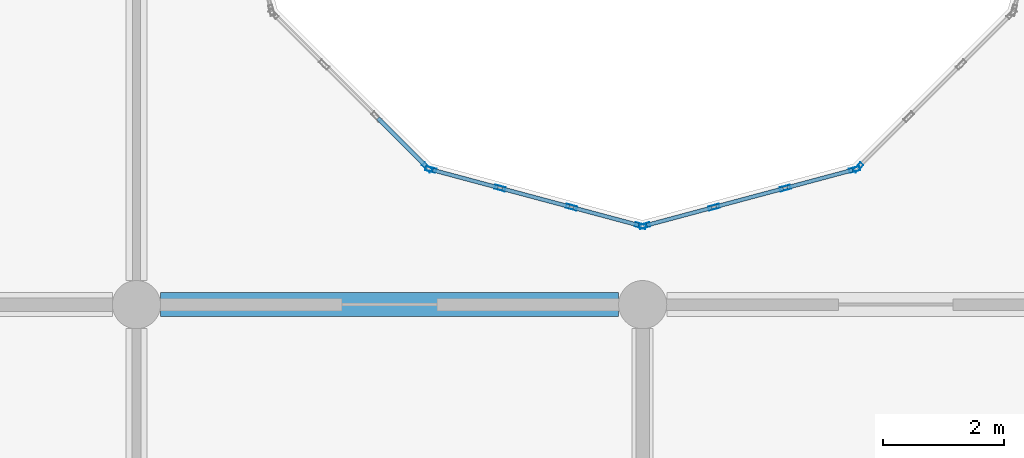
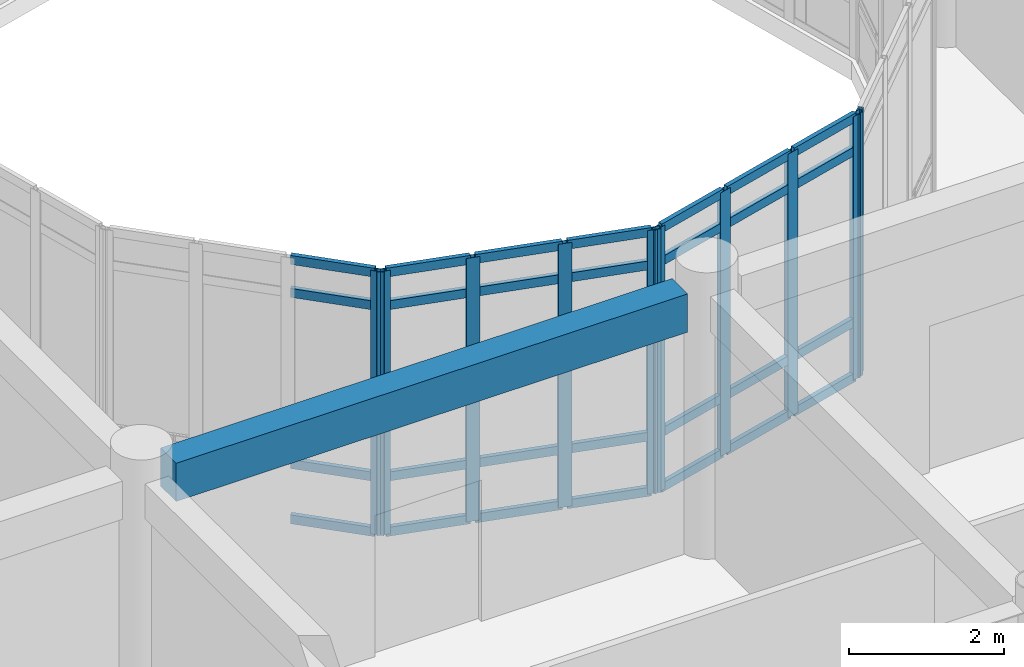
# One storey, part 45 of 144: 38 members, 1 beam, 4 elements without a shape of their own.
"""IFC4 building model written with IfcOpenShell, lengths in metres."""

import ifcopenshell
import ifcopenshell.guid

model = None  # the IFC model being written
_history = None  # IfcOwnerHistory: only IFC2X3 demands one
_inside = {}  # id of a spatial element -> (the spatial element, [elements in it])
_under = {}  # id of a project, library or spatial element -> (it, [spatial elements below it])
_declared = {}  # id of a project -> (the project, [libraries it declares])
_typed = {}  # id of a type object -> (the type object, [elements of that type])
_made_of = {}  # id of a material, layer set ... -> (it, [elements and type objects made of it])


def new_model(schema):
    """Start an empty IFC model of exactly this schema.

    Asked for "IFC4X3", IfcOpenShell would pick the latest addendum, in which some entities
    have other attributes; the version numbers below select the first issue.
    IFC2X3 requires an IfcOwnerHistory on every rooted entity: one is made here for all.
    """
    global model, _history
    if schema == "IFC4X3":
        model = ifcopenshell.file(schema_version=(4, 3, 0, 0))
    else:
        model = ifcopenshell.file(schema=schema)
    _inside.clear()
    _under.clear()
    _declared.clear()
    _typed.clear()
    _made_of.clear()
    _history = None
    if model.schema == "IFC2X3":
        org = make("IfcOrganization", Name="unknown")
        user = make(
            "IfcPersonAndOrganization",
            ThePerson=make("IfcPerson", FamilyName="unknown"),
            TheOrganization=org,
        )
        app = make(
            "IfcApplication",
            ApplicationDeveloper=org,
            Version="unknown",
            ApplicationFullName="unknown",
            ApplicationIdentifier="unknown",
        )
        _history = make(
            "IfcOwnerHistory",
            OwningUser=user,
            OwningApplication=app,
            ChangeAction="ADDED",
            CreationDate=0,
        )
    return model


def make(cls, **values):
    """One entity of the class cls with the attributes given. An attribute that is None is left unset."""
    return model.create_entity(
        cls, **{name: value for name, value in values.items() if value is not None}
    )


def rooted(cls, **values):
    """An entity with a GlobalId (a new one), such as an element, a storey or a relation."""
    return make(cls, GlobalId=ifcopenshell.guid.new(), OwnerHistory=_history, **values)


def si_unit(unit_type, name, prefix=None):
    """IfcSIUnit, for example si_unit("LENGTHUNIT", "METRE", prefix="MILLI")."""
    return make("IfcSIUnit", UnitType=unit_type, Prefix=prefix, Name=name)


def assignment(units):
    """IfcUnitAssignment: the units of a project."""
    return None if units is None else make("IfcUnitAssignment", Units=units)


def point(xyz):
    """IfcCartesianPoint."""
    return None if xyz is None else make("IfcCartesianPoint", Coordinates=xyz)


def direction(xyz):
    """IfcDirection."""
    return None if xyz is None else make("IfcDirection", DirectionRatios=xyz)


def frame(location, z_axis=None, x_axis=None):
    """IfcAxis2Placement3D, a coordinate frame: its origin and axes. An axis left out is left unset."""
    return make(
        "IfcAxis2Placement3D",
        Location=point(location),
        Axis=direction(z_axis),
        RefDirection=direction(x_axis),
    )


def frame_2d(location, x_axis=None):
    """IfcAxis2Placement2D, a coordinate frame in the plane: its origin and x axis."""
    return make(
        "IfcAxis2Placement2D", Location=point(location), RefDirection=direction(x_axis)
    )


def origin():
    """The frame at (0, 0, 0) with its axes left unset."""
    return frame((0.0, 0.0, 0.0))


def origin_2d():
    """The frame at (0, 0) in the plane with its x axis left unset."""
    return frame_2d((0.0, 0.0))


def place(relative_to, where):
    """IfcLocalPlacement: puts the frame where relative to a parent placement (None: the world)."""
    return make(
        "IfcLocalPlacement", PlacementRelTo=relative_to, RelativePlacement=where
    )


def context(
    kind, dimensions, precision=None, world=None, true_north=None, identifier=None
):
    """IfcGeometricRepresentationContext, for example the 3D "Model" context."""
    return make(
        "IfcGeometricRepresentationContext",
        ContextIdentifier=identifier,
        ContextType=kind,
        CoordinateSpaceDimension=dimensions,
        Precision=precision,
        WorldCoordinateSystem=world,
        TrueNorth=true_north,
    )


def subcontext(parent, identifier, kind, view, scale=None):
    """IfcGeometricRepresentationSubContext, for example "Body" below "Model"."""
    return make(
        "IfcGeometricRepresentationSubContext",
        ContextIdentifier=identifier,
        ContextType=kind,
        ParentContext=parent,
        TargetScale=scale,
        TargetView=view,
    )


def project(units=None, contexts=None):
    """IfcProject with its units and contexts."""
    return rooted(
        "IfcProject",
        Name="project",
        RepresentationContexts=contexts,
        UnitsInContext=assignment(units),
    )


def spatial(cls, under=None, at=None, **own):
    """A site, building, storey or space (cls), placed at a placement, below another one or the project."""
    s = rooted(cls, ObjectPlacement=at, **own)
    if under is not None:
        _under.setdefault(under.id(), (under, []))[1].append(s)
    return s


def profile(cls, at=None, kind="AREA", **sizes):
    """A parametric profile (cls). Its sizes go by their IFC names, for example OverallWidth=200.0."""
    return make(cls, ProfileType=kind, Position=at, **sizes)


def rectangle(**sizes):
    """IfcRectangleProfileDef."""
    return profile("IfcRectangleProfileDef", **sizes)


def hollow_rectangle(**sizes):
    """IfcRectangleHollowProfileDef."""
    return profile("IfcRectangleHollowProfileDef", **sizes)


def extrude(swept, where, along, depth):
    """IfcExtrudedAreaSolid: the profile swept, set in the frame where, extruded along a direction by depth."""
    return make(
        "IfcExtrudedAreaSolid",
        SweptArea=swept,
        Position=where,
        ExtrudedDirection=direction(along),
        Depth=depth,
    )


def shape(context_of_items, identifier, shape_type, items):
    """IfcShapeRepresentation: the items that make up one representation, for example the "Body"."""
    return make(
        "IfcShapeRepresentation",
        ContextOfItems=context_of_items,
        RepresentationIdentifier=identifier,
        RepresentationType=shape_type,
        Items=items,
    )


def material(Name=None, Category=None):
    """IfcMaterial."""
    return make("IfcMaterial", Name=Name, Category=Category)


def layer(
    of_material, thickness, ventilated=None, Name=None, Category=None, Priority=None
):
    """IfcMaterialLayer: one layer of a wall or slab, of a material (None: an air gap)."""
    return make(
        "IfcMaterialLayer",
        Material=of_material,
        LayerThickness=thickness,
        IsVentilated=ventilated,
        Name=Name,
        Category=Category,
        Priority=Priority,
    )


def layer_set(layers, Name=None):
    """IfcMaterialLayerSet."""
    return make("IfcMaterialLayerSet", MaterialLayers=layers, LayerSetName=Name)


def material_profile(
    of_material, cross_section, Name=None, Category=None, Priority=None
):
    """IfcMaterialProfile: a cross section and its material."""
    return make(
        "IfcMaterialProfile",
        Name=Name,
        Material=of_material,
        Profile=cross_section,
        Priority=Priority,
        Category=Category,
    )


def profile_set(profiles, Name=None, composite=None):
    """IfcMaterialProfileSet."""
    return make(
        "IfcMaterialProfileSet",
        Name=Name,
        MaterialProfiles=profiles,
        CompositeProfile=composite,
    )


def made_of(thing, what):
    """Note that an element or type object is made of a material, layer set ...; save() writes the relation."""
    if what is not None:
        _made_of.setdefault(what.id(), (what, []))[1].append(thing)
    return thing


def type_object(cls, material=None, **own):
    """A type object (cls), such as IfcWallType, which elements share."""
    return made_of(rooted(cls, **own), material)


def element(
    cls,
    number,
    at=None,
    inside=None,
    cuts=None,
    type_object=None,
    material=None,
    context=None,
    identifier="Body",
    shape_type=None,
    held_by="IfcProductDefinitionShape",
    body=None,
    shapes=None,
    **own,
):
    """One element of the class cls, such as IfcWall. Its Tag is "e" and its number.

    at: its placement. inside: the storey or other place that contains it. cuts: it is an
    opening in that element (IfcRelVoidsElement). A single representation is given by context,
    identifier, shape_type and body (its items); several are given by shapes. held_by: the class
    of the entity that holds the representations. save() writes the other relations.
    """
    e = rooted(cls, Tag="e%d" % number, ObjectPlacement=at, **own)
    if body is not None:
        shapes = [shape(context, identifier, shape_type, body)]
    if shapes is not None:
        e.Representation = make(held_by, Representations=shapes)
    if inside is not None:
        _inside.setdefault(inside.id(), (inside, []))[1].append(e)
    if cuts is not None:
        rooted(
            "IfcRelVoidsElement", RelatingBuildingElement=cuts, RelatedOpeningElement=e
        )
    if type_object is not None:
        _typed.setdefault(type_object.id(), (type_object, []))[1].append(e)
    return made_of(e, material)


def aggregate(whole, parts):
    """IfcRelAggregates: a whole, such as a stair, and the parts it consists of."""
    return rooted("IfcRelAggregates", RelatingObject=whole, RelatedObjects=parts)


def save(model, path):
    """Write the relations noted so far, then the file.

    IfcRelAggregates (storeys below a building ...), IfcRelContainedInSpatialStructure (elements
    in a storey), IfcRelDefinesByType, IfcRelAssociatesMaterial and IfcRelDeclares: one each for
    every whole, place, type object, material and project.
    """
    for whole, parts in _under.values():
        aggregate(whole, parts)
    for where, things in _inside.values():
        rooted(
            "IfcRelContainedInSpatialStructure",
            RelatedElements=things,
            RelatingStructure=where,
        )
    for kind, things in _typed.values():
        rooted("IfcRelDefinesByType", RelatedObjects=things, RelatingType=kind)
    for what, things in _made_of.values():
        rooted("IfcRelAssociatesMaterial", RelatedObjects=things, RelatingMaterial=what)
    for by, libraries in _declared.values():
        rooted("IfcRelDeclares", RelatingContext=by, RelatedDefinitions=libraries)
    model.write(path)


model = new_model("IFC4")

# Units and contexts
model_context = context("Model", 3, precision=1e-05, world=origin(), true_north=direction((0.0, 1.0)))
body_context = subcontext(model_context, "Body", "Model", "MODEL_VIEW")
ifc_project = project(units=[si_unit("LENGTHUNIT", "METRE"), si_unit("AREAUNIT", "SQUARE_METRE"), si_unit("VOLUMEUNIT", "CUBIC_METRE"), si_unit("PLANEANGLEUNIT", "RADIAN"), si_unit("MASSUNIT", "GRAM", prefix="KILO")], contexts=[model_context])

# Site, building, storey
site_placement = place(None, origin())
site = spatial("IfcSite", under=ifc_project, at=site_placement, CompositionType="ELEMENT")
building_placement = place(site_placement, origin())
building = spatial("IfcBuilding", under=site, at=building_placement, Name="Bramfleet General Hospital", CompositionType="ELEMENT")
storey_placement = place(building_placement, frame((0.0, 0.0, 4.800048828125)))
storey = spatial("IfcBuildingStorey", under=building, at=storey_placement, Name="L01", CompositionType="ELEMENT", Elevation=4.800048828125)

# Beam
ifc_material_1 = material(Name="Concrete C35/45", Category="concrete")
ifc_material_profile_1 = material_profile(ifc_material_1, rectangle(XDim=0.39990234375, YDim=0.60009765625, at=origin_2d()), Name="RC BM 600x400")
ifc_profile_set_1 = profile_set([ifc_material_profile_1], Name="Concrete C35/45")
beam_type = type_object("IfcBeamType", Name="BM-RC600", PredefinedType="BEAM", material=ifc_profile_set_1)
beam_placement = place(storey_placement, frame((76.0, 67.199951171875, 3.849853515625), z_axis=(1.0, 0.0, 0.0), x_axis=(0.0, 1.0, 0.0)))
element("IfcBeam", 1, at=beam_placement, inside=storey, type_object=beam_type, Name="L01 Grid Beam X 09-08", PredefinedType="BEAM", context=body_context, shape_type="SweptSolid", body=[
    extrude(rectangle(XDim=0.39990234375, YDim=0.60009765625, at=origin_2d()), origin(), (0.0, 0.0, 1.0), 7.60009765625),
])

# Curtain wall, member
ifc_material_2 = material(Name="Anodised aluminium and low-E triple glazing", Category="aluminium")
ifc_layer_1 = layer(ifc_material_2, 0.179931640625, Name="CWT-CW-14")
ifc_layer_set_1 = layer_set([ifc_layer_1], Name="Anodised aluminium and low-E triple glazing")
curtain_wall_type_1 = type_object("IfcCurtainWallType", Name="CWT-CW-14", PredefinedType="USERDEFINED", material=ifc_layer_set_1)
curtain_wall_1_placement = place(storey_placement, origin())
curtain_wall_1 = element("IfcCurtainWall", 2, at=curtain_wall_1_placement, inside=storey, type_object=curtain_wall_type_1, Name="L01 Central Diagnostic Light Court Curtain Wall 2.1", ObjectType="Stick curtain wall", PredefinedType="USERDEFINED")
ifc_material_3 = material(Name="Anodised aluminium EN AW-6060", Category="aluminium")
ifc_material_profile_2 = material_profile(ifc_material_3, hollow_rectangle(XDim=0.070068359375, YDim=0.179931640625, WallThickness=0.00390625, at=origin_2d()), Name="ALU 180x70x4.0")
ifc_profile_set_2 = profile_set([ifc_material_profile_2], Name="Anodised aluminium EN AW-6060")
member_type_1 = type_object("IfcMemberType", Name="CWM-ALU180", PredefinedType="MULLION", material=ifc_profile_set_2)
member_1_placement = place(storey_placement, frame((80.42529296875, 69.475830078125, 0.0), z_axis=(0.0, 0.0, 1.0), x_axis=(0.707106781187, 0.707106781187, 0.0)))
member_1 = element("IfcMember", 3, at=member_1_placement, type_object=member_type_1, Name="CW-14 mullion 4", PredefinedType="MULLION", context=body_context, shape_type="SweptSolid", body=[
    extrude(hollow_rectangle(XDim=0.070068359375, YDim=0.179931640625, WallThickness=0.00390625, at=origin_2d()), origin(), (0.0, 0.0, 1.0), 4.139892578125),
])

# Curtain wall, members
ifc_layer_2 = layer(ifc_material_2, 0.179931640625, Name="CWT-CW-15")
ifc_layer_set_2 = layer_set([ifc_layer_2], Name="Anodised aluminium and low-E triple glazing")
curtain_wall_type_2 = type_object("IfcCurtainWallType", Name="CWT-CW-15", PredefinedType="USERDEFINED", material=ifc_layer_set_2)
curtain_wall_2_placement = place(storey_placement, origin())
curtain_wall_2 = element("IfcCurtainWall", 4, at=curtain_wall_2_placement, inside=storey, type_object=curtain_wall_type_2, Name="L01 Central Diagnostic Light Court Curtain Wall 3.1", ObjectType="Stick curtain wall", PredefinedType="USERDEFINED")
member_2_placement = place(storey_placement, frame((80.48388671875, 69.44189453125, 0.0), z_axis=(0.0, 0.0, 1.0), x_axis=(0.258763286618, 0.965940765005, 0.0)))
member_2 = element("IfcMember", 5, at=member_2_placement, type_object=member_type_1, Name="CW-15 mullion 1", PredefinedType="MULLION", context=body_context, shape_type="SweptSolid", body=[
    extrude(hollow_rectangle(XDim=0.070068359375, YDim=0.179931640625, WallThickness=0.00390625, at=origin_2d()), origin(), (0.0, 0.0, 1.0), 4.139892578125),
])
member_3_placement = place(storey_placement, frame((81.63330078125, 69.134033203125, 0.0), z_axis=(0.0, 0.0, 1.0), x_axis=(0.258763286618, 0.965940765005, 0.0)))
member_3 = element("IfcMember", 6, at=member_3_placement, type_object=member_type_1, Name="CW-15 mullion 2", PredefinedType="MULLION", context=body_context, shape_type="SweptSolid", body=[
    extrude(hollow_rectangle(XDim=0.070068359375, YDim=0.179931640625, WallThickness=0.00390625, at=origin_2d()), origin(), (0.0, 0.0, 1.0), 4.139892578125),
])
member_4_placement = place(storey_placement, frame((82.816650390625, 68.81689453125, 0.0), z_axis=(0.0, 0.0, 1.0), x_axis=(0.258763286618, 0.965940765005, 0.0)))
member_4 = element("IfcMember", 7, at=member_4_placement, type_object=member_type_1, Name="CW-15 mullion 3", PredefinedType="MULLION", context=body_context, shape_type="SweptSolid", body=[
    extrude(hollow_rectangle(XDim=0.070068359375, YDim=0.179931640625, WallThickness=0.00390625, at=origin_2d()), origin(), (0.0, 0.0, 1.0), 4.139892578125),
])
member_5_placement = place(storey_placement, frame((83.96630859375, 68.509033203125, 0.0), z_axis=(0.0, 0.0, 1.0), x_axis=(0.258763286618, 0.965940765005, 0.0)))
member_5 = element("IfcMember", 8, at=member_5_placement, type_object=member_type_1, Name="CW-15 mullion 4", PredefinedType="MULLION", context=body_context, shape_type="SweptSolid", body=[
    extrude(hollow_rectangle(XDim=0.070068359375, YDim=0.179931640625, WallThickness=0.00390625, at=origin_2d()), origin(), (0.0, 0.0, 1.0), 4.139892578125),
])

ifc_layer_3 = layer(ifc_material_2, 0.179931640625, Name="CWT-CW-16")
ifc_layer_set_3 = layer_set([ifc_layer_3], Name="Anodised aluminium and low-E triple glazing")
curtain_wall_type_3 = type_object("IfcCurtainWallType", Name="CWT-CW-16", PredefinedType="USERDEFINED", material=ifc_layer_set_3)
curtain_wall_3_placement = place(storey_placement, origin())
curtain_wall_3 = element("IfcCurtainWall", 9, at=curtain_wall_3_placement, inside=storey, type_object=curtain_wall_type_3, Name="L01 Central Diagnostic Light Court Curtain Wall 4.1", ObjectType="Stick curtain wall", PredefinedType="USERDEFINED")
member_6_placement = place(storey_placement, frame((84.03369140625, 68.509033203125, 0.0), z_axis=(0.0, 0.0, 1.0), x_axis=(-0.258763286618, 0.965940765005, 0.0)))
member_6 = element("IfcMember", 10, at=member_6_placement, type_object=member_type_1, Name="CW-16 mullion 1", PredefinedType="MULLION", context=body_context, shape_type="SweptSolid", body=[
    extrude(hollow_rectangle(XDim=0.070068359375, YDim=0.179931640625, WallThickness=0.00390625, at=origin_2d()), origin(), (0.0, 0.0, 1.0), 4.139892578125),
])
member_7_placement = place(storey_placement, frame((85.183349609375, 68.81689453125, 0.0), z_axis=(0.0, 0.0, 1.0), x_axis=(-0.258763286618, 0.965940765005, 0.0)))
member_7 = element("IfcMember", 11, at=member_7_placement, type_object=member_type_1, Name="CW-16 mullion 2", PredefinedType="MULLION", context=body_context, shape_type="SweptSolid", body=[
    extrude(hollow_rectangle(XDim=0.070068359375, YDim=0.179931640625, WallThickness=0.00390625, at=origin_2d()), origin(), (0.0, 0.0, 1.0), 4.139892578125),
])
member_8_placement = place(storey_placement, frame((86.36669921875, 69.134033203125, 0.0), z_axis=(0.0, 0.0, 1.0), x_axis=(-0.258763286618, 0.965940765005, 0.0)))
member_8 = element("IfcMember", 12, at=member_8_placement, type_object=member_type_1, Name="CW-16 mullion 3", PredefinedType="MULLION", context=body_context, shape_type="SweptSolid", body=[
    extrude(hollow_rectangle(XDim=0.070068359375, YDim=0.179931640625, WallThickness=0.00390625, at=origin_2d()), origin(), (0.0, 0.0, 1.0), 4.139892578125),
])
member_9_placement = place(storey_placement, frame((87.51611328125, 69.44189453125, 0.0), z_axis=(0.0, 0.0, 1.0), x_axis=(-0.258763286618, 0.965940765005, 0.0)))
member_9 = element("IfcMember", 13, at=member_9_placement, type_object=member_type_1, Name="CW-16 mullion 4", PredefinedType="MULLION", context=body_context, shape_type="SweptSolid", body=[
    extrude(hollow_rectangle(XDim=0.070068359375, YDim=0.179931640625, WallThickness=0.00390625, at=origin_2d()), origin(), (0.0, 0.0, 1.0), 4.139892578125),
])

# Curtain wall, member
ifc_layer_4 = layer(ifc_material_2, 0.179931640625, Name="CWT-CW-17")
ifc_layer_set_4 = layer_set([ifc_layer_4], Name="Anodised aluminium and low-E triple glazing")
curtain_wall_type_4 = type_object("IfcCurtainWallType", Name="CWT-CW-17", PredefinedType="USERDEFINED", material=ifc_layer_set_4)
curtain_wall_4_placement = place(storey_placement, origin())
curtain_wall_4 = element("IfcCurtainWall", 14, at=curtain_wall_4_placement, inside=storey, type_object=curtain_wall_type_4, Name="L01 Central Diagnostic Light Court Curtain Wall 5.1", ObjectType="Stick curtain wall", PredefinedType="USERDEFINED")
member_10_placement = place(storey_placement, frame((87.57470703125, 69.475830078125, 0.0), z_axis=(0.0, 0.0, 1.0), x_axis=(-0.707106781187, 0.707106781187, 0.0)))
member_10 = element("IfcMember", 15, at=member_10_placement, type_object=member_type_1, Name="CW-17 mullion 1", PredefinedType="MULLION", context=body_context, shape_type="SweptSolid", body=[
    extrude(hollow_rectangle(XDim=0.070068359375, YDim=0.179931640625, WallThickness=0.00390625, at=origin_2d()), origin(), (0.0, 0.0, 1.0), 4.139892578125),
])
aggregate(curtain_wall_4, [member_10])

# Member
ifc_material_profile_3 = material_profile(ifc_material_3, hollow_rectangle(XDim=0.06494140625, YDim=0.139892578125, WallThickness=0.00390625, at=origin_2d()), Name="ALU 140x65x4.0")
ifc_profile_set_3 = profile_set([ifc_material_profile_3], Name="Anodised aluminium EN AW-6060")
member_type_2 = type_object("IfcMemberType", Name="CWT-ALU140", PredefinedType="USERDEFINED", material=ifc_profile_set_3)
member_11_placement = place(storey_placement, frame((79.6083984375, 70.29248046875, 0.032470703125), z_axis=(0.707106781187, -0.707106781187, 0.0), x_axis=(0.707106781187, 0.707106781187, 0.0)))
member_11 = element("IfcMember", 16, at=member_11_placement, type_object=member_type_2, Name="CW-14 transom 3.1", ObjectType="TRANSOM", PredefinedType="USERDEFINED", context=body_context, shape_type="SweptSolid", body=[
    extrude(hollow_rectangle(XDim=0.06494140625, YDim=0.139892578125, WallThickness=0.00390625, at=origin_2d()), origin(), (0.0, 0.0, 1.0), 1.1201171875),
])

member_12_placement = place(storey_placement, frame((79.6083984375, 70.29248046875, 0.89990234375), z_axis=(0.707106781187, -0.707106781187, 0.0), x_axis=(0.707106781187, 0.707106781187, 0.0)))
member_12 = element("IfcMember", 17, at=member_12_placement, type_object=member_type_2, Name="CW-14 transom 3.2", ObjectType="TRANSOM", PredefinedType="USERDEFINED", context=body_context, shape_type="SweptSolid", body=[
    extrude(hollow_rectangle(XDim=0.06494140625, YDim=0.139892578125, WallThickness=0.00390625, at=origin_2d()), origin(), (0.0, 0.0, 1.0), 1.1201171875),
])

member_13_placement = place(storey_placement, frame((79.6083984375, 70.29248046875, 3.58984375), z_axis=(0.707106781187, -0.707106781187, 0.0), x_axis=(0.707106781187, 0.707106781187, 0.0)))
member_13 = element("IfcMember", 18, at=member_13_placement, type_object=member_type_2, Name="CW-14 transom 3.3", ObjectType="TRANSOM", PredefinedType="USERDEFINED", context=body_context, shape_type="SweptSolid", body=[
    extrude(hollow_rectangle(XDim=0.06494140625, YDim=0.139892578125, WallThickness=0.00390625, at=origin_2d()), origin(), (0.0, 0.0, 1.0), 1.1201171875),
])

member_14_placement = place(storey_placement, frame((79.6083984375, 70.29248046875, 4.107421875), z_axis=(0.707106781187, -0.707106781187, 0.0), x_axis=(0.707106781187, 0.707106781187, 0.0)))
member_14 = element("IfcMember", 19, at=member_14_placement, type_object=member_type_2, Name="CW-14 transom 3.4", ObjectType="TRANSOM", PredefinedType="USERDEFINED", context=body_context, shape_type="SweptSolid", body=[
    extrude(hollow_rectangle(XDim=0.06494140625, YDim=0.139892578125, WallThickness=0.00390625, at=origin_2d()), origin(), (0.0, 0.0, 1.0), 1.1201171875),
])

aggregate(curtain_wall_1, [member_1, member_11, member_12, member_13, member_14])

member_15_placement = place(storey_placement, frame((80.517578125, 69.432861328125, 0.032470703125), z_axis=(0.965955832691, -0.25870703371, 0.0), x_axis=(0.25870703371, 0.965955832691, 0.0)))
member_15 = element("IfcMember", 20, at=member_15_placement, type_object=member_type_2, Name="CW-15 transom 1.1", ObjectType="TRANSOM", PredefinedType="USERDEFINED", context=body_context, shape_type="SweptSolid", body=[
    extrude(hollow_rectangle(XDim=0.06494140625, YDim=0.139892578125, WallThickness=0.00390625, at=origin_2d()), origin(), (0.0, 0.0, 1.0), 1.1201171875),
])

member_16_placement = place(storey_placement, frame((80.517578125, 69.432861328125, 0.89990234375), z_axis=(0.965955832691, -0.25870703371, 0.0), x_axis=(0.25870703371, 0.965955832691, 0.0)))
member_16 = element("IfcMember", 21, at=member_16_placement, type_object=member_type_2, Name="CW-15 transom 1.2", ObjectType="TRANSOM", PredefinedType="USERDEFINED", context=body_context, shape_type="SweptSolid", body=[
    extrude(hollow_rectangle(XDim=0.06494140625, YDim=0.139892578125, WallThickness=0.00390625, at=origin_2d()), origin(), (0.0, 0.0, 1.0), 1.1201171875),
])

member_17_placement = place(storey_placement, frame((80.517578125, 69.432861328125, 3.58984375), z_axis=(0.965955832691, -0.25870703371, 0.0), x_axis=(0.25870703371, 0.965955832691, 0.0)))
member_17 = element("IfcMember", 22, at=member_17_placement, type_object=member_type_2, Name="CW-15 transom 1.3", ObjectType="TRANSOM", PredefinedType="USERDEFINED", context=body_context, shape_type="SweptSolid", body=[
    extrude(hollow_rectangle(XDim=0.06494140625, YDim=0.139892578125, WallThickness=0.00390625, at=origin_2d()), origin(), (0.0, 0.0, 1.0), 1.1201171875),
])

member_18_placement = place(storey_placement, frame((80.517578125, 69.432861328125, 4.107421875), z_axis=(0.965955832691, -0.25870703371, 0.0), x_axis=(0.25870703371, 0.965955832691, 0.0)))
member_18 = element("IfcMember", 23, at=member_18_placement, type_object=member_type_2, Name="CW-15 transom 1.4", ObjectType="TRANSOM", PredefinedType="USERDEFINED", context=body_context, shape_type="SweptSolid", body=[
    extrude(hollow_rectangle(XDim=0.06494140625, YDim=0.139892578125, WallThickness=0.00390625, at=origin_2d()), origin(), (0.0, 0.0, 1.0), 1.1201171875),
])

member_19_placement = place(storey_placement, frame((81.667236328125, 69.125, 0.032470703125), z_axis=(0.965953711242, -0.258714954608, 0.0), x_axis=(0.258714954608, 0.965953711242, 0.0)))
member_19 = element("IfcMember", 24, at=member_19_placement, type_object=member_type_2, Name="CW-15 transom 2.1", ObjectType="TRANSOM", PredefinedType="USERDEFINED", context=body_context, shape_type="SweptSolid", body=[
    extrude(hollow_rectangle(XDim=0.06494140625, YDim=0.139892578125, WallThickness=0.00390625, at=origin_2d()), origin(), (0.0, 0.0, 1.0), 1.155029296875),
])

member_20_placement = place(storey_placement, frame((81.667236328125, 69.125, 0.89990234375), z_axis=(0.965953711242, -0.258714954608, 0.0), x_axis=(0.258714954608, 0.965953711242, 0.0)))
member_20 = element("IfcMember", 25, at=member_20_placement, type_object=member_type_2, Name="CW-15 transom 2.2", ObjectType="TRANSOM", PredefinedType="USERDEFINED", context=body_context, shape_type="SweptSolid", body=[
    extrude(hollow_rectangle(XDim=0.06494140625, YDim=0.139892578125, WallThickness=0.00390625, at=origin_2d()), origin(), (0.0, 0.0, 1.0), 1.155029296875),
])

member_21_placement = place(storey_placement, frame((81.667236328125, 69.125, 3.58984375), z_axis=(0.965953711242, -0.258714954608, 0.0), x_axis=(0.258714954608, 0.965953711242, 0.0)))
member_21 = element("IfcMember", 26, at=member_21_placement, type_object=member_type_2, Name="CW-15 transom 2.3", ObjectType="TRANSOM", PredefinedType="USERDEFINED", context=body_context, shape_type="SweptSolid", body=[
    extrude(hollow_rectangle(XDim=0.06494140625, YDim=0.139892578125, WallThickness=0.00390625, at=origin_2d()), origin(), (0.0, 0.0, 1.0), 1.155029296875),
])

member_22_placement = place(storey_placement, frame((81.667236328125, 69.125, 4.107421875), z_axis=(0.965953711242, -0.258714954608, 0.0), x_axis=(0.258714954608, 0.965953711242, 0.0)))
member_22 = element("IfcMember", 27, at=member_22_placement, type_object=member_type_2, Name="CW-15 transom 2.4", ObjectType="TRANSOM", PredefinedType="USERDEFINED", context=body_context, shape_type="SweptSolid", body=[
    extrude(hollow_rectangle(XDim=0.06494140625, YDim=0.139892578125, WallThickness=0.00390625, at=origin_2d()), origin(), (0.0, 0.0, 1.0), 1.155029296875),
])

member_23_placement = place(storey_placement, frame((82.8505859375, 68.807861328125, 0.032470703125), z_axis=(0.965941240814, -0.258761510459, 0.0), x_axis=(0.258761510459, 0.965941240814, 0.0)))
member_23 = element("IfcMember", 28, at=member_23_placement, type_object=member_type_2, Name="CW-15 transom 3.1", ObjectType="TRANSOM", PredefinedType="USERDEFINED", context=body_context, shape_type="SweptSolid", body=[
    extrude(hollow_rectangle(XDim=0.06494140625, YDim=0.139892578125, WallThickness=0.00390625, at=origin_2d()), origin(), (0.0, 0.0, 1.0), 1.119873046875),
])

member_24_placement = place(storey_placement, frame((82.8505859375, 68.807861328125, 0.89990234375), z_axis=(0.965941240814, -0.258761510459, 0.0), x_axis=(0.258761510459, 0.965941240814, 0.0)))
member_24 = element("IfcMember", 29, at=member_24_placement, type_object=member_type_2, Name="CW-15 transom 3.2", ObjectType="TRANSOM", PredefinedType="USERDEFINED", context=body_context, shape_type="SweptSolid", body=[
    extrude(hollow_rectangle(XDim=0.06494140625, YDim=0.139892578125, WallThickness=0.00390625, at=origin_2d()), origin(), (0.0, 0.0, 1.0), 1.119873046875),
])

member_25_placement = place(storey_placement, frame((82.8505859375, 68.807861328125, 3.58984375), z_axis=(0.965941240814, -0.258761510459, 0.0), x_axis=(0.258761510459, 0.965941240814, 0.0)))
member_25 = element("IfcMember", 30, at=member_25_placement, type_object=member_type_2, Name="CW-15 transom 3.3", ObjectType="TRANSOM", PredefinedType="USERDEFINED", context=body_context, shape_type="SweptSolid", body=[
    extrude(hollow_rectangle(XDim=0.06494140625, YDim=0.139892578125, WallThickness=0.00390625, at=origin_2d()), origin(), (0.0, 0.0, 1.0), 1.119873046875),
])

member_26_placement = place(storey_placement, frame((82.8505859375, 68.807861328125, 4.107421875), z_axis=(0.965941240814, -0.258761510459, 0.0), x_axis=(0.258761510459, 0.965941240814, 0.0)))
member_26 = element("IfcMember", 31, at=member_26_placement, type_object=member_type_2, Name="CW-15 transom 3.4", ObjectType="TRANSOM", PredefinedType="USERDEFINED", context=body_context, shape_type="SweptSolid", body=[
    extrude(hollow_rectangle(XDim=0.06494140625, YDim=0.139892578125, WallThickness=0.00390625, at=origin_2d()), origin(), (0.0, 0.0, 1.0), 1.119873046875),
])

aggregate(curtain_wall_2, [member_2, member_3, member_4, member_5, member_15, member_16, member_17, member_18, member_19, member_20, member_21, member_22, member_23, member_24, member_25, member_26])

member_27_placement = place(storey_placement, frame((84.067626953125, 68.51806640625, 0.032470703125), z_axis=(0.965941240814, 0.258761510459, 0.0), x_axis=(-0.258761510459, 0.965941240814, 0.0)))
member_27 = element("IfcMember", 32, at=member_27_placement, type_object=member_type_2, Name="CW-16 transom 1.1", ObjectType="TRANSOM", PredefinedType="USERDEFINED", context=body_context, shape_type="SweptSolid", body=[
    extrude(hollow_rectangle(XDim=0.06494140625, YDim=0.139892578125, WallThickness=0.00390625, at=origin_2d()), origin(), (0.0, 0.0, 1.0), 1.119873046875),
])

member_28_placement = place(storey_placement, frame((84.067626953125, 68.51806640625, 0.89990234375), z_axis=(0.965941240814, 0.258761510459, 0.0), x_axis=(-0.258761510459, 0.965941240814, 0.0)))
member_28 = element("IfcMember", 33, at=member_28_placement, type_object=member_type_2, Name="CW-16 transom 1.2", ObjectType="TRANSOM", PredefinedType="USERDEFINED", context=body_context, shape_type="SweptSolid", body=[
    extrude(hollow_rectangle(XDim=0.06494140625, YDim=0.139892578125, WallThickness=0.00390625, at=origin_2d()), origin(), (0.0, 0.0, 1.0), 1.119873046875),
])

member_29_placement = place(storey_placement, frame((84.067626953125, 68.51806640625, 3.58984375), z_axis=(0.965941240814, 0.258761510459, 0.0), x_axis=(-0.258761510459, 0.965941240814, 0.0)))
member_29 = element("IfcMember", 34, at=member_29_placement, type_object=member_type_2, Name="CW-16 transom 1.3", ObjectType="TRANSOM", PredefinedType="USERDEFINED", context=body_context, shape_type="SweptSolid", body=[
    extrude(hollow_rectangle(XDim=0.06494140625, YDim=0.139892578125, WallThickness=0.00390625, at=origin_2d()), origin(), (0.0, 0.0, 1.0), 1.119873046875),
])

member_30_placement = place(storey_placement, frame((84.067626953125, 68.51806640625, 4.107421875), z_axis=(0.965941240814, 0.258761510459, 0.0), x_axis=(-0.258761510459, 0.965941240814, 0.0)))
member_30 = element("IfcMember", 35, at=member_30_placement, type_object=member_type_2, Name="CW-16 transom 1.4", ObjectType="TRANSOM", PredefinedType="USERDEFINED", context=body_context, shape_type="SweptSolid", body=[
    extrude(hollow_rectangle(XDim=0.06494140625, YDim=0.139892578125, WallThickness=0.00390625, at=origin_2d()), origin(), (0.0, 0.0, 1.0), 1.119873046875),
])

member_31_placement = place(storey_placement, frame((85.217041015625, 68.826171875, 0.032470703125), z_axis=(0.965953711242, 0.258714954608, 0.0), x_axis=(-0.258714954608, 0.965953711242, 0.0)))
member_31 = element("IfcMember", 36, at=member_31_placement, type_object=member_type_2, Name="CW-16 transom 2.1", ObjectType="TRANSOM", PredefinedType="USERDEFINED", context=body_context, shape_type="SweptSolid", body=[
    extrude(hollow_rectangle(XDim=0.06494140625, YDim=0.139892578125, WallThickness=0.00390625, at=origin_2d()), origin(), (0.0, 0.0, 1.0), 1.155029296875),
])

member_32_placement = place(storey_placement, frame((85.217041015625, 68.826171875, 0.89990234375), z_axis=(0.965953711242, 0.258714954608, 0.0), x_axis=(-0.258714954608, 0.965953711242, 0.0)))
member_32 = element("IfcMember", 37, at=member_32_placement, type_object=member_type_2, Name="CW-16 transom 2.2", ObjectType="TRANSOM", PredefinedType="USERDEFINED", context=body_context, shape_type="SweptSolid", body=[
    extrude(hollow_rectangle(XDim=0.06494140625, YDim=0.139892578125, WallThickness=0.00390625, at=origin_2d()), origin(), (0.0, 0.0, 1.0), 1.155029296875),
])

member_33_placement = place(storey_placement, frame((85.217041015625, 68.826171875, 3.58984375), z_axis=(0.965953711242, 0.258714954608, 0.0), x_axis=(-0.258714954608, 0.965953711242, 0.0)))
member_33 = element("IfcMember", 38, at=member_33_placement, type_object=member_type_2, Name="CW-16 transom 2.3", ObjectType="TRANSOM", PredefinedType="USERDEFINED", context=body_context, shape_type="SweptSolid", body=[
    extrude(hollow_rectangle(XDim=0.06494140625, YDim=0.139892578125, WallThickness=0.00390625, at=origin_2d()), origin(), (0.0, 0.0, 1.0), 1.155029296875),
])

member_34_placement = place(storey_placement, frame((85.217041015625, 68.826171875, 4.107421875), z_axis=(0.965953711242, 0.258714954608, 0.0), x_axis=(-0.258714954608, 0.965953711242, 0.0)))
member_34 = element("IfcMember", 39, at=member_34_placement, type_object=member_type_2, Name="CW-16 transom 2.4", ObjectType="TRANSOM", PredefinedType="USERDEFINED", context=body_context, shape_type="SweptSolid", body=[
    extrude(hollow_rectangle(XDim=0.06494140625, YDim=0.139892578125, WallThickness=0.00390625, at=origin_2d()), origin(), (0.0, 0.0, 1.0), 1.155029296875),
])

member_35_placement = place(storey_placement, frame((86.400390625, 69.14306640625, 0.032470703125), z_axis=(0.965955832691, 0.25870703371, 0.0), x_axis=(-0.25870703371, 0.965955832691, 0.0)))
member_35 = element("IfcMember", 40, at=member_35_placement, type_object=member_type_2, Name="CW-16 transom 3.1", ObjectType="TRANSOM", PredefinedType="USERDEFINED", context=body_context, shape_type="SweptSolid", body=[
    extrude(hollow_rectangle(XDim=0.06494140625, YDim=0.139892578125, WallThickness=0.00390625, at=origin_2d()), origin(), (0.0, 0.0, 1.0), 1.1201171875),
])

member_36_placement = place(storey_placement, frame((86.400390625, 69.14306640625, 0.89990234375), z_axis=(0.965955832691, 0.25870703371, 0.0), x_axis=(-0.25870703371, 0.965955832691, 0.0)))
member_36 = element("IfcMember", 41, at=member_36_placement, type_object=member_type_2, Name="CW-16 transom 3.2", ObjectType="TRANSOM", PredefinedType="USERDEFINED", context=body_context, shape_type="SweptSolid", body=[
    extrude(hollow_rectangle(XDim=0.06494140625, YDim=0.139892578125, WallThickness=0.00390625, at=origin_2d()), origin(), (0.0, 0.0, 1.0), 1.1201171875),
])

member_37_placement = place(storey_placement, frame((86.400390625, 69.14306640625, 3.58984375), z_axis=(0.965955832691, 0.25870703371, 0.0), x_axis=(-0.25870703371, 0.965955832691, 0.0)))
member_37 = element("IfcMember", 42, at=member_37_placement, type_object=member_type_2, Name="CW-16 transom 3.3", ObjectType="TRANSOM", PredefinedType="USERDEFINED", context=body_context, shape_type="SweptSolid", body=[
    extrude(hollow_rectangle(XDim=0.06494140625, YDim=0.139892578125, WallThickness=0.00390625, at=origin_2d()), origin(), (0.0, 0.0, 1.0), 1.1201171875),
])

member_38_placement = place(storey_placement, frame((86.400390625, 69.14306640625, 4.107421875), z_axis=(0.965955832691, 0.25870703371, 0.0), x_axis=(-0.25870703371, 0.965955832691, 0.0)))
member_38 = element("IfcMember", 43, at=member_38_placement, type_object=member_type_2, Name="CW-16 transom 3.4", ObjectType="TRANSOM", PredefinedType="USERDEFINED", context=body_context, shape_type="SweptSolid", body=[
    extrude(hollow_rectangle(XDim=0.06494140625, YDim=0.139892578125, WallThickness=0.00390625, at=origin_2d()), origin(), (0.0, 0.0, 1.0), 1.1201171875),
])

aggregate(curtain_wall_3, [member_6, member_7, member_8, member_9, member_27, member_28, member_29, member_30, member_31, member_32, member_33, member_34, member_35, member_36, member_37, member_38])

save(model, "model.ifc")
